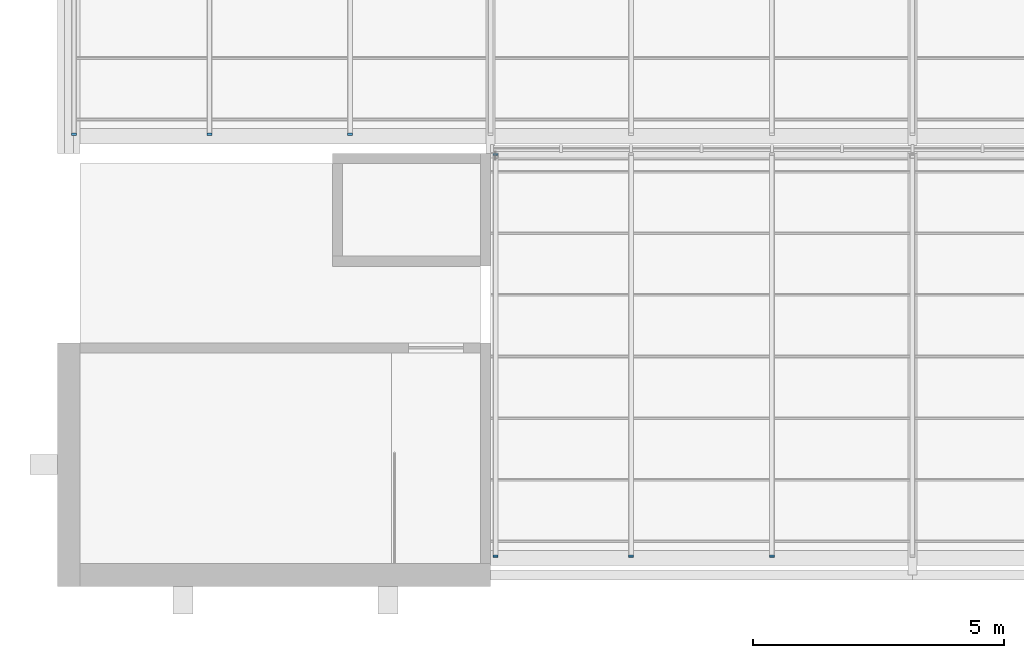
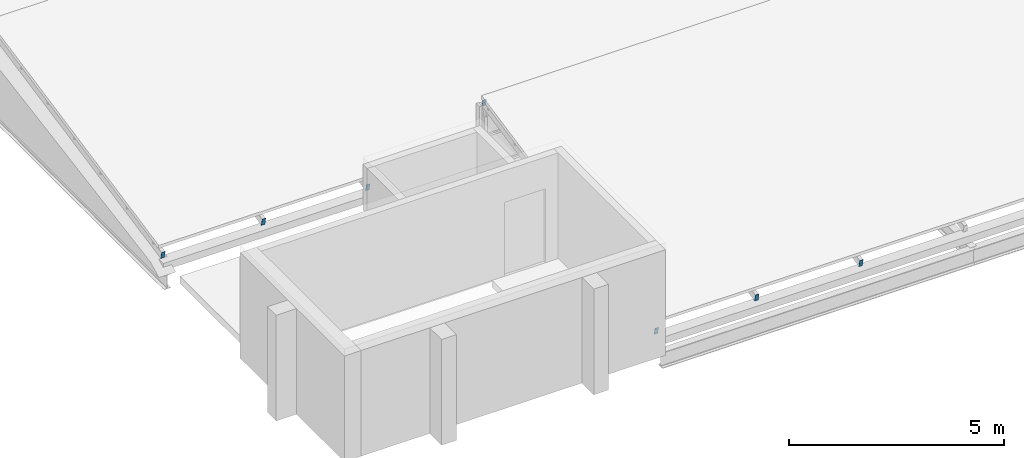
# One storey, part 93 of 121: 7 discrete accessories.
"""IFC4 building model written with IfcOpenShell, lengths in metres."""

from ifc_helpers import new_model, si_unit, direction, frame, origin, origin_2d, place, context, subcontext, project, spatial, rectangle, extrude, material, material_profile, profile_set, type_object, element, save


model = new_model("IFC4")

# Units and contexts
model_context = context("Model", 3, precision=1e-05, world=origin(), true_north=direction((0.0, 1.0)))
body_context = subcontext(model_context, "Body", "Model", "MODEL_VIEW")
ifc_project = project(units=[si_unit("LENGTHUNIT", "METRE"), si_unit("AREAUNIT", "SQUARE_METRE"), si_unit("VOLUMEUNIT", "CUBIC_METRE"), si_unit("PLANEANGLEUNIT", "RADIAN"), si_unit("MASSUNIT", "GRAM", prefix="KILO")], contexts=[model_context])

# Site, building, storey
site_placement = place(None, origin())
site = spatial("IfcSite", under=ifc_project, at=site_placement, CompositionType="ELEMENT")
building_placement = place(site_placement, origin())
building = spatial("IfcBuilding", under=site, at=building_placement, Name="Ardhachandra Cancer Care Centre", CompositionType="ELEMENT")
storey_placement = place(building_placement, frame((0.0, 0.0, 9.0)))
storey = spatial("IfcBuildingStorey", under=building, at=storey_placement, Name="L02", CompositionType="ELEMENT", Elevation=9.0)

# Discrete accessories
ifc_material = material(Name="Galvanised flat steel (Steel E250 (IS 2062))", Category="steel")
ifc_material_profile = material_profile(ifc_material, rectangle(XDim=0.10009765625, YDim=0.199951171875, at=origin_2d()), Name="Rafter end plate 200 x 100 x 8")
ifc_profile_set = profile_set([ifc_material_profile], Name="Galvanised flat steel (Steel E250 (IS 2062))")
discrete_accessory_type = type_object("IfcDiscreteAccessoryType", Name="Rafter end plate 200 x 100 x 8", PredefinedType="BRACKET", material=ifc_profile_set)
discrete_accessory_1_placement = place(storey_placement, frame((19.300048828125, 29.7802734375, 0.298095703125), z_axis=(0.0, -0.978234125102, -0.207504208355), x_axis=(1.0, 0.0, 0.0)))
element("IfcDiscreteAccessory", 1, at=discrete_accessory_1_placement, inside=storey, type_object=discrete_accessory_type, Name="Rafter end plate T1a.1.1", PredefinedType="BRACKET", context=body_context, shape_type="SweptSolid", body=[
    extrude(rectangle(XDim=0.10009765625, YDim=0.199951171875, at=origin_2d()), origin(), (0.0, 0.0, 1.0), 0.00830078125),
])
discrete_accessory_2_placement = place(storey_placement, frame((19.300048828125, 37.7802734375, 1.91796875), z_axis=(0.0, 0.976900017396, 0.213696878805), x_axis=(-1.0, 0.0, 0.0)))
element("IfcDiscreteAccessory", 2, at=discrete_accessory_2_placement, inside=storey, type_object=discrete_accessory_type, Name="Rafter end plate T1a.1.2", PredefinedType="BRACKET", context=body_context, shape_type="SweptSolid", body=[
    extrude(rectangle(XDim=0.10009765625, YDim=0.199951171875, at=origin_2d()), origin(), (0.0, 0.0, 1.0), 0.008056640625),
])
for number, where, z_axis, x_axis, name in (
    (3, (22.0, 29.7802734375, 0.298095703125), (0.0, -0.978234125102, -0.207504208355), (1.0, 0.0, 0.0), "Rafter end plate T1a.2.1"),
    (4, (24.800048828125, 29.7802734375, 0.298095703125), (0.0, -0.978234125102, -0.207504208355), (1.0, 0.0, 0.0), "Rafter end plate T1a.3.1"),
):
    element("IfcDiscreteAccessory", number, at=place(storey_placement, frame(where, z_axis=z_axis, x_axis=x_axis)), inside=storey, type_object=discrete_accessory_type, Name=name, PredefinedType="BRACKET", context=body_context, shape_type="SweptSolid", body=[
        extrude(rectangle(XDim=0.10009765625, YDim=0.199951171875, at=origin_2d()), origin(), (0.0, 0.0, 1.0), 0.00830078125),
    ])
for number, where, z_axis, x_axis, name in (
    (5, (10.89990234375, 38.18017578125, 0.298095703125), (0.0, -0.976900017396, -0.213696878805), (1.0, 0.0, 0.0), "Rafter end plate T2a.1.1"),
    (6, (13.60009765625, 38.18017578125, 0.298095703125), (0.0, -0.976900017396, -0.213696878805), (1.0, 0.0, 0.0), "Rafter end plate T2a.2.1"),
    (7, (16.39990234375, 38.18017578125, 0.298095703125), (0.0, -0.976900017396, -0.213696878805), (1.0, 0.0, 0.0), "Rafter end plate T2a.3.1"),
):
    element("IfcDiscreteAccessory", number, at=place(storey_placement, frame(where, z_axis=z_axis, x_axis=x_axis)), inside=storey, type_object=discrete_accessory_type, Name=name, PredefinedType="BRACKET", context=body_context, shape_type="SweptSolid", body=[
        extrude(rectangle(XDim=0.10009765625, YDim=0.199951171875, at=origin_2d()), origin(), (0.0, 0.0, 1.0), 0.008056640625),
    ])

save(model, "model.ifc")
